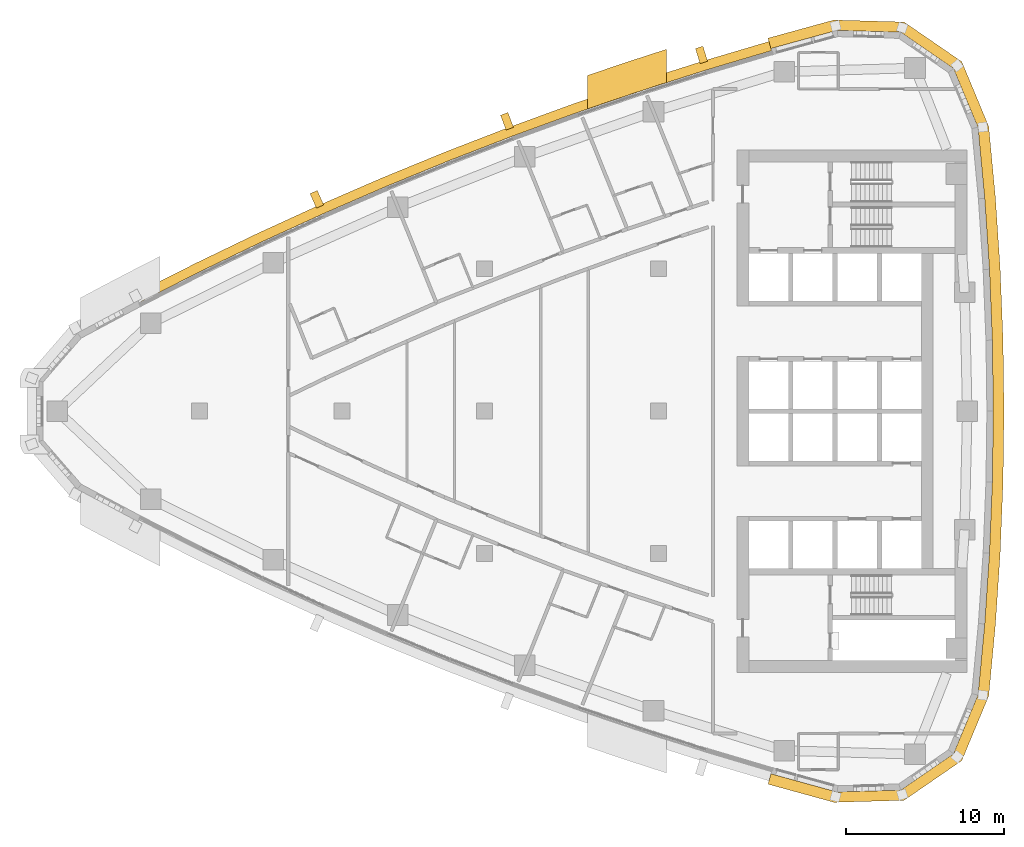
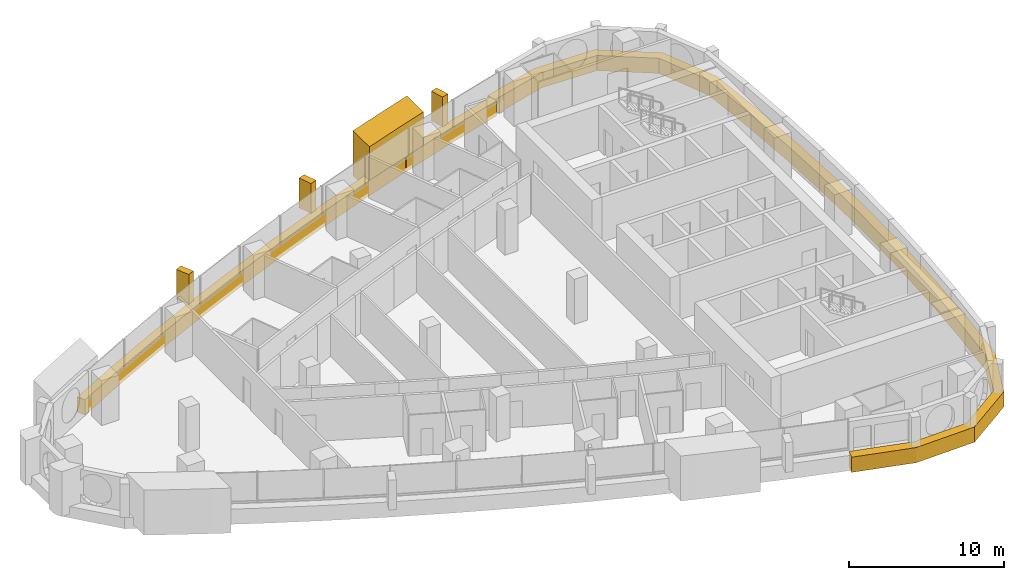
# One storey, part 16 of 17: 6 coverings.
"""IFC4 building model written with IfcOpenShell, lengths in metres."""

from ifc_helpers import new_model, si_unit, direction, frame, frame_2d, origin, place, context, subcontext, project, spatial, polyline, rectangle, outline, extrude, material, layer, layer_set, type_object, element, save


model = new_model("IFC4")

# Units and contexts
model_context = context("Model", 3, precision=1e-05, world=origin(), true_north=direction((0.0, 1.0)))
body_context = subcontext(model_context, "Body", "Model", "MODEL_VIEW")
ifc_project = project(units=[si_unit("LENGTHUNIT", "METRE"), si_unit("AREAUNIT", "SQUARE_METRE"), si_unit("VOLUMEUNIT", "CUBIC_METRE"), si_unit("PLANEANGLEUNIT", "RADIAN"), si_unit("MASSUNIT", "GRAM", prefix="KILO")], contexts=[model_context])

# Site, building, storey
site_placement = place(None, origin())
site = spatial("IfcSite", under=ifc_project, at=site_placement, CompositionType="ELEMENT")
building_placement = place(site_placement, origin())
building = spatial("IfcBuilding", under=site, at=building_placement, Name="Ostrand Prow Hotel Tower", CompositionType="ELEMENT")
storey_placement = place(building_placement, frame((0.0, 0.0, 175.5)))
storey = spatial("IfcBuildingStorey", under=building, at=storey_placement, Name="L43", CompositionType="ELEMENT", Elevation=175.5)

# Coverings
ifc_material_1 = material(Name="Bronze anodised aluminium cladding", Category="aluminium")
ifc_layer_1 = layer(ifc_material_1, 0.60009765625)
ifc_layer_set_1 = layer_set([ifc_layer_1], Name="Bronze anodised aluminium cladding")
covering_type_1 = type_object("IfcCoveringType", Name="Bronze spandrel band 1200x600", PredefinedType="CLADDING", material=ifc_layer_set_1)
covering_1_placement = place(storey_placement, frame((0.0, 0.0, -0.300048828125)))
element("IfcCovering", 1, at=covering_1_placement, inside=storey, type_object=covering_type_1, Name="Spandrel band N1", PredefinedType="CLADDING", context=body_context, shape_type="SweptSolid", body=[
    extrude(outline(polyline([(51.9736328125, 23.35009765625), (47.831787109375, 22.12060546875), (43.7158203125, 20.80810546875), (39.626708984375, 19.4130859375), (35.566650390625, 17.93603515625), (31.537353515625, 16.37744140625), (27.5400390625, 14.738037109375), (23.57666015625, 13.0185546875), (19.648681640625, 11.219482421875), (15.757568359375, 9.341796875), (11.9052734375, 7.38623046875), (12.18212890625, 6.85400390625), (16.023681640625, 8.80419921875), (19.90380859375, 10.676513671875), (23.821044921875, 12.470458984375), (27.773193359375, 14.185302734375), (31.759521484375, 15.820068359375), (35.777587890625, 17.374267578125), (39.826171875, 18.84716796875), (43.90380859375, 20.23828125), (48.00830078125, 21.547119140625), (52.138427734375, 22.773193359375), (51.9736328125, 23.35009765625)])), origin(), (0.0, 0.0, 1.0), 1.199951171875),
])
covering_2_placement = place(storey_placement, frame((0.0, 0.0, -0.300048828125)))
element("IfcCovering", 2, at=covering_2_placement, inside=storey, type_object=covering_type_1, Name="Spandrel band back 1", PredefinedType="CLADDING", context=body_context, shape_type="SweptSolid", body=[
    extrude(outline(polyline([(51.9130859375, -23.561767578125), (56.0830078125, -24.708740234375), (60.5087890625, -24.581787109375), (64.15625, -22.072021484375), (65.856201171875, -17.98388671875), (66.27783203125, -13.499267578125), (66.5791015625, -9.0048828125), (66.760009765625, -4.50390625), (66.8203125, 0.0), (66.760009765625, 4.50390625), (66.5791015625, 9.0048828125), (66.27783203125, 13.499267578125), (65.856201171875, 17.98388671875), (64.15625, 22.072021484375), (60.5087890625, 24.581787109375), (56.0830078125, 24.708740234375), (51.9130859375, 23.561767578125), (52.10009765625, 22.907958984375), (56.256591796875, 24.05126953125), (60.297607421875, 23.935302734375), (63.6279296875, 21.643798828125), (65.18017578125, 17.9111328125), (65.60009765625, 13.444580078125), (65.900146484375, 8.968505859375), (66.080078125, 4.48583984375), (66.140380859375, 0.0), (66.080078125, -4.48583984375), (65.900146484375, -8.968505859375), (65.60009765625, -13.444580078125), (65.18017578125, -17.9111328125), (63.6279296875, -21.643798828125), (60.297607421875, -23.935302734375), (56.256591796875, -24.05126953125), (52.10009765625, -22.907958984375), (51.9130859375, -23.561767578125)])), origin(), (0.0, 0.0, 1.0), 1.199951171875),
])
ifc_material_2 = material(Name="Limestone cladding", Category="masonry")
ifc_layer_2 = layer(ifc_material_2, 5.0)
ifc_layer_set_2 = layer_set([ifc_layer_2], Name="Limestone cladding")
covering_type_2 = type_object("IfcCoveringType", Name="Portal jamb pilaster limestone", PredefinedType="CLADDING", material=ifc_layer_set_2)
covering_3_placement = place(storey_placement, origin())
element("IfcCovering", 3, at=covering_3_placement, inside=storey, type_object=covering_type_2, Name="Portal jamb NB L43", PredefinedType="CLADDING", context=body_context, shape_type="SweptSolid", body=[
    extrude(outline(polyline([(40.5, 19.08349609375), (41.5, 19.429443359375), (42.5, 19.769775390625), (43.5, 20.104736328125), (44.5, 20.43408203125), (45.5, 20.75830078125), (45.5, 22.85791015625), (44.5, 22.537109375), (43.5, 22.211181640625), (42.5, 21.879638671875), (41.5, 21.542724609375), (40.5, 21.200439453125), (40.5, 19.08349609375)])), origin(), (0.0, 0.0, 1.0), 3.550048828125),
])
ifc_material_3 = material(Name="Limestone cladding", Category="masonry")
ifc_layer_3 = layer(ifc_material_3, 0.5)
ifc_layer_set_3 = layer_set([ifc_layer_3], Name="Limestone cladding")
covering_type_3 = type_object("IfcCoveringType", Name="Precast stone fin 500x900", PredefinedType="CLADDING", material=ifc_layer_set_3)
covering_4_placement = place(storey_placement, frame((47.861083984375, 22.025146484375, 0.89990234375), z_axis=(0.0, 0.0, 1.0), x_axis=(-0.294017207984, 0.955800126287, 0.0)))
element("IfcCovering", 4, at=covering_4_placement, inside=storey, type_object=covering_type_3, Name="Stone fin N 2", PredefinedType="CLADDING", context=body_context, shape_type="SweptSolid", body=[
    extrude(rectangle(XDim=0.999755859375, YDim=0.5, at=frame_2d((0.5, 0.0))), origin(), (0.0, 0.0, 1.0), 2.35009765625),
])
for number, where, z_axis, x_axis, name in (
    (5, (35.601806640625, 17.84228515625, 0.89990234375), (0.0, 0.0, 1.0), (-0.351310716449, 0.936258928133, 0.0), "Stone fin N 5"),
    (6, (23.6171875, 12.92724609375, 0.89990234375), (0.0, 0.0, 1.0), (-0.407021798392, 0.913418444982, 0.0), "Stone fin N 8"),
):
    element("IfcCovering", number, at=place(storey_placement, frame(where, z_axis=z_axis, x_axis=x_axis)), inside=storey, type_object=covering_type_3, Name=name, PredefinedType="CLADDING", context=body_context, shape_type="SweptSolid", body=[
        extrude(rectangle(XDim=1.0, YDim=0.5, at=frame_2d((0.5, 0.0))), origin(), (0.0, 0.0, 1.0), 2.35009765625),
    ])

save(model, "model.ifc")
